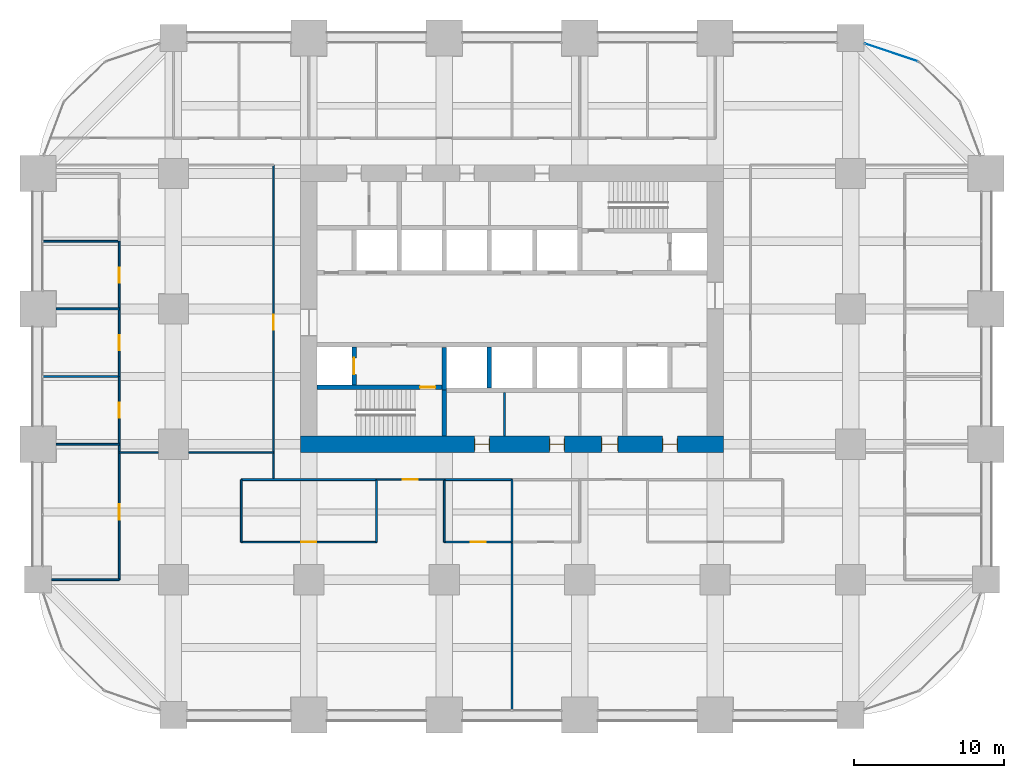
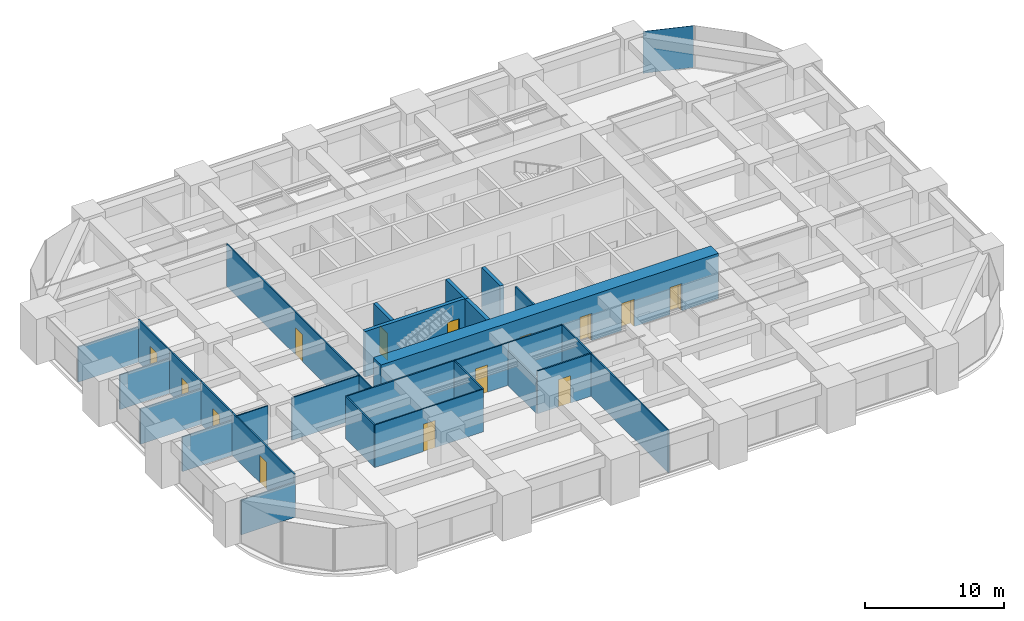
# One storey, part 36 of 41: 29 walls, 14 doors, 1 plate, 14 openings, 1 element without a shape of its own.
"""IFC4 building model written with IfcOpenShell, lengths in metres."""

from ifc_helpers import new_model, si_unit, direction, frame, frame_2d, origin, origin_2d, place, context, subcontext, project, spatial, rectangle, extrude, material, layer, layer_set, type_object, element, fill, aggregate, save


model = new_model("IFC4")

# Units and contexts
model_context = context("Model", 3, precision=1e-05, world=origin(), true_north=direction((0.0, 1.0)))
body_context = subcontext(model_context, "Body", "Model", "MODEL_VIEW")
ifc_project = project(units=[si_unit("LENGTHUNIT", "METRE"), si_unit("AREAUNIT", "SQUARE_METRE"), si_unit("VOLUMEUNIT", "CUBIC_METRE"), si_unit("PLANEANGLEUNIT", "RADIAN"), si_unit("MASSUNIT", "GRAM", prefix="KILO")], contexts=[model_context])

# Site, building, storey
site_placement = place(None, origin())
site = spatial("IfcSite", under=ifc_project, at=site_placement, CompositionType="ELEMENT")
building_placement = place(site_placement, origin())
building = spatial("IfcBuilding", under=site, at=building_placement, Name="Zorevar Civic Tower", CompositionType="ELEMENT")
storey_placement = place(building_placement, frame((0.0, 0.0, 113.0)))
storey = spatial("IfcBuildingStorey", under=building, at=storey_placement, Name="L27", CompositionType="ELEMENT", Elevation=113.0)

# Curtain wall, plate
ifc_material_1 = material(Name="Dark grey solar-control glass in black aluminium frame", Category="aluminium")
curtain_wall_type = type_object("IfcCurtainWallType", Name="Curtain wall CW3 mid zone", PredefinedType="NOTDEFINED", material=ifc_material_1)
curtain_wall_placement = place(storey_placement, origin())
curtain_wall = element("IfcCurtainWall", 1, at=curtain_wall_placement, inside=storey, type_object=curtain_wall_type, Name="CW3 L27", PredefinedType="NOTDEFINED")
ifc_material_2 = material(Name="Dark grey solar-control glass", Category="glass")
ifc_layer_1 = layer(ifc_material_2, 0.030029296875)
ifc_layer_set_1 = layer_set([ifc_layer_1], Name="CW3 panel 30")
plate_type = type_object("IfcPlateType", Name="CW3 panel 30", PredefinedType="CURTAIN_PANEL", material=ifc_layer_set_1)
plate_placement = place(storey_placement, frame((56.7109375, 44.04296875, 0.06005859375), z_axis=(0.0, 0.0, 1.0), x_axis=(-0.947615765406, 0.319412525043, 0.0)))
plate = element("IfcPlate", 2, at=plate_placement, type_object=plate_type, Name="CW3 panel 1.1", PredefinedType="CURTAIN_PANEL", context=body_context, shape_type="SweptSolid", body=[
    extrude(rectangle(XDim=3.7021484375, YDim=0.030029296875, at=origin_2d()), origin(), (0.0, 0.0, 1.0), 3.68994140625),
])
aggregate(curtain_wall, [plate])

# Wall, openings, doors
ifc_material_3 = material(Name="Concrete C50/60", Category="concrete")
ifc_layer_2 = layer(ifc_material_3, 1.10009765625)
ifc_layer_set_2 = layer_set([ifc_layer_2], Name="Core wall 1100")
wall_type_1 = type_object("IfcWallType", Name="Core wall 1100", PredefinedType="SHEAR", material=ifc_layer_set_2)
wall_1_placement = place(storey_placement, frame((17.449951171875, 18.0, 0.0), z_axis=(0.0, 0.0, 1.0), x_axis=(1.0, 0.0, 0.0)))
wall_1 = element("IfcWall", 3, at=wall_1_placement, inside=storey, type_object=wall_type_1, Name="Core wall S L27", PredefinedType="SHEAR", context=body_context, shape_type="SweptSolid", body=[
    extrude(rectangle(XDim=28.10009765625, YDim=1.10009765625, at=frame_2d((14.050048828125, 0.0))), origin(), (0.0, 0.0, 1.0), 4.0),
])
opening_1_placement = place(wall_1_placement, frame((11.550048828125, 0.0, 0.0)))
opening_1 = element("IfcOpeningElement", 4, at=opening_1_placement, cuts=wall_1, Name="Opening L27.03", PredefinedType="OPENING", context=body_context, shape_type="SweptSolid", body=[
    extrude(rectangle(XDim=1.0, YDim=2.39990234375, at=frame_2d((0.5, 1.199951171875))), frame((0.0, 0.56005859375, 0.0), z_axis=(0.0, -1.0, 0.0), x_axis=(1.0, 0.0, 0.0)), (0.0, 0.0, 1.0), 1.1201171875),
])
opening_2_placement = place(wall_1_placement, frame((16.550048828125, 0.0, 0.0)))
opening_2 = element("IfcOpeningElement", 5, at=opening_2_placement, cuts=wall_1, Name="Opening L27.04", PredefinedType="OPENING", context=body_context, shape_type="SweptSolid", body=[
    extrude(rectangle(XDim=1.0, YDim=2.39990234375, at=frame_2d((0.5, 1.199951171875))), frame((0.0, 0.56005859375, 0.0), z_axis=(0.0, -1.0, 0.0), x_axis=(1.0, 0.0, 0.0)), (0.0, 0.0, 1.0), 1.1201171875),
])
opening_3_placement = place(wall_1_placement, frame((20.0, 0.0, 0.0)))
opening_3 = element("IfcOpeningElement", 6, at=opening_3_placement, cuts=wall_1, Name="Opening L27.05", PredefinedType="OPENING", context=body_context, shape_type="SweptSolid", body=[
    extrude(rectangle(XDim=1.10009765625, YDim=2.39990234375, at=frame_2d((0.550048828125, 1.199951171875))), frame((0.0, 0.56005859375, 0.0), z_axis=(0.0, -1.0, 0.0), x_axis=(1.0, 0.0, 0.0)), (0.0, 0.0, 1.0), 1.1201171875),
])
opening_4_placement = place(wall_1_placement, frame((24.050048828125, 0.0, 0.0)))
opening_4 = element("IfcOpeningElement", 7, at=opening_4_placement, cuts=wall_1, Name="Opening L27.06", PredefinedType="OPENING", context=body_context, shape_type="SweptSolid", body=[
    extrude(rectangle(XDim=1.0, YDim=2.39990234375, at=frame_2d((0.5, 1.199951171875))), frame((0.0, 0.56005859375, 0.0), z_axis=(0.0, -1.0, 0.0), x_axis=(1.0, 0.0, 0.0)), (0.0, 0.0, 1.0), 1.1201171875),
])
ifc_material_4 = material(Name="Timber door set", Category="wood")
door_type_1 = type_object("IfcDoorType", Name="Door D1 1000x2400", OperationType="SINGLE_SWING_LEFT", PredefinedType="DOOR", material=ifc_material_4)
door_1_placement = place(opening_1_placement, origin())
door_1 = element("IfcDoor", 8, at=door_1_placement, inside=storey, type_object=door_type_1, Name="Door L27 02", OperationType="SINGLE_SWING_RIGHT", OverallHeight=2.39990234375, OverallWidth=1.0, PredefinedType="DOOR", context=body_context, shape_type="SweptSolid", body=[
    extrude(rectangle(XDim=1.0, YDim=2.39990234375, at=frame_2d((0.5, 1.199951171875))), frame((0.0, 0.02490234375, 0.0), z_axis=(0.0, -1.0, 0.0), x_axis=(1.0, 0.0, 0.0)), (0.0, 0.0, 1.0), 0.050048828125),
    extrude(rectangle(XDim=0.04, YDim=2.39990234375, at=frame_2d((0.02001953125, 1.199951171875))), frame((0.0, 0.39990234375, 0.0), z_axis=(0.0, -1.0, 0.0), x_axis=(1.0, 0.0, 0.0)), (0.0, 0.0, 1.0), 0.800048828125),
    extrude(rectangle(XDim=0.04, YDim=2.39990234375, at=frame_2d((0.97998046875, 1.199951171875))), frame((0.0, 0.39990234375, 0.0), z_axis=(0.0, -1.0, 0.0), x_axis=(1.0, 0.0, 0.0)), (0.0, 0.0, 1.0), 0.800048828125),
    extrude(rectangle(XDim=1.0, YDim=0.04, at=frame_2d((0.5, 2.3798828125))), frame((0.0, 0.39990234375, 0.0), z_axis=(0.0, -1.0, 0.0), x_axis=(1.0, 0.0, 0.0)), (0.0, 0.0, 1.0), 0.800048828125),
])
fill(opening_1, door_1)
door_2_placement = place(opening_2_placement, origin())
door_2 = element("IfcDoor", 9, at=door_2_placement, inside=storey, type_object=door_type_1, Name="Door L27 03", OperationType="SINGLE_SWING_LEFT", OverallHeight=2.39990234375, OverallWidth=1.0, PredefinedType="DOOR", context=body_context, shape_type="SweptSolid", body=[
    extrude(rectangle(XDim=1.0, YDim=2.39990234375, at=frame_2d((0.5, 1.199951171875))), frame((0.0, 0.02490234375, 0.0), z_axis=(0.0, -1.0, 0.0), x_axis=(1.0, 0.0, 0.0)), (0.0, 0.0, 1.0), 0.050048828125),
    extrude(rectangle(XDim=0.04, YDim=2.39990234375, at=frame_2d((0.02001953125, 1.199951171875))), frame((0.0, 0.39990234375, 0.0), z_axis=(0.0, -1.0, 0.0), x_axis=(1.0, 0.0, 0.0)), (0.0, 0.0, 1.0), 0.800048828125),
    extrude(rectangle(XDim=0.04, YDim=2.39990234375, at=frame_2d((0.97998046875, 1.199951171875))), frame((0.0, 0.39990234375, 0.0), z_axis=(0.0, -1.0, 0.0), x_axis=(1.0, 0.0, 0.0)), (0.0, 0.0, 1.0), 0.800048828125),
    extrude(rectangle(XDim=1.0, YDim=0.04, at=frame_2d((0.5, 2.3798828125))), frame((0.0, 0.39990234375, 0.0), z_axis=(0.0, -1.0, 0.0), x_axis=(1.0, 0.0, 0.0)), (0.0, 0.0, 1.0), 0.800048828125),
])
fill(opening_2, door_2)
door_3_placement = place(opening_4_placement, origin())
door_3 = element("IfcDoor", 10, at=door_3_placement, inside=storey, type_object=door_type_1, Name="Door L27 05", OperationType="SINGLE_SWING_LEFT", OverallHeight=2.39990234375, OverallWidth=1.0, PredefinedType="DOOR", context=body_context, shape_type="SweptSolid", body=[
    extrude(rectangle(XDim=1.0, YDim=2.39990234375, at=frame_2d((0.5, 1.199951171875))), frame((0.0, 0.02490234375, 0.0), z_axis=(0.0, -1.0, 0.0), x_axis=(1.0, 0.0, 0.0)), (0.0, 0.0, 1.0), 0.050048828125),
    extrude(rectangle(XDim=0.04, YDim=2.39990234375, at=frame_2d((0.02001953125, 1.199951171875))), frame((0.0, 0.39990234375, 0.0), z_axis=(0.0, -1.0, 0.0), x_axis=(1.0, 0.0, 0.0)), (0.0, 0.0, 1.0), 0.800048828125),
    extrude(rectangle(XDim=0.04, YDim=2.39990234375, at=frame_2d((0.97998046875, 1.199951171875))), frame((0.0, 0.39990234375, 0.0), z_axis=(0.0, -1.0, 0.0), x_axis=(1.0, 0.0, 0.0)), (0.0, 0.0, 1.0), 0.800048828125),
    extrude(rectangle(XDim=1.0, YDim=0.04, at=frame_2d((0.5, 2.3798828125))), frame((0.0, 0.39990234375, 0.0), z_axis=(0.0, -1.0, 0.0), x_axis=(1.0, 0.0, 0.0)), (0.0, 0.0, 1.0), 0.800048828125),
])
fill(opening_4, door_3)
ifc_material_5 = material(Name="Timber door set", Category="wood")
door_type_2 = type_object("IfcDoorType", Name="Door D5 1100x2400", OperationType="SINGLE_SWING_LEFT", PredefinedType="DOOR", material=ifc_material_5)
door_4_placement = place(opening_3_placement, origin())
door_4 = element("IfcDoor", 11, at=door_4_placement, inside=storey, type_object=door_type_2, Name="Door L27 04", OperationType="SINGLE_SWING_LEFT", OverallHeight=2.39990234375, OverallWidth=1.10009765625, PredefinedType="DOOR", context=body_context, shape_type="SweptSolid", body=[
    extrude(rectangle(XDim=1.10009765625, YDim=2.39990234375, at=frame_2d((0.550048828125, 1.199951171875))), frame((0.0, 0.02490234375, 0.0), z_axis=(0.0, -1.0, 0.0), x_axis=(1.0, 0.0, 0.0)), (0.0, 0.0, 1.0), 0.050048828125),
    extrude(rectangle(XDim=0.04, YDim=2.39990234375, at=frame_2d((0.02001953125, 1.199951171875))), frame((0.0, 0.43994140625, 0.0), z_axis=(0.0, -1.0, 0.0), x_axis=(1.0, 0.0, 0.0)), (0.0, 0.0, 1.0), 0.880126953125),
    extrude(rectangle(XDim=0.04, YDim=2.39990234375, at=frame_2d((1.080078125, 1.199951171875))), frame((0.0, 0.43994140625, 0.0), z_axis=(0.0, -1.0, 0.0), x_axis=(1.0, 0.0, 0.0)), (0.0, 0.0, 1.0), 0.880126953125),
    extrude(rectangle(XDim=1.10009765625, YDim=0.04, at=frame_2d((0.550048828125, 2.3798828125))), frame((0.0, 0.43994140625, 0.0), z_axis=(0.0, -1.0, 0.0), x_axis=(1.0, 0.0, 0.0)), (0.0, 0.0, 1.0), 0.880126953125),
])
fill(opening_3, door_4)

# Wall, opening, door
ifc_material_6 = material(Name="Laminated glass in black aluminium frame", Category="aluminium")
ifc_layer_3 = layer(ifc_material_6, 0.10009765625)
ifc_layer_set_3 = layer_set([ifc_layer_3], Name="Glazed partition 100")
wall_type_2 = type_object("IfcWallType", Name="Glazed partition 100", PredefinedType="PARTITIONING", material=ifc_layer_set_3)
wall_2_placement = place(storey_placement, frame((13.5, 11.5, 0.0), z_axis=(0.0, 0.0, 1.0), x_axis=(1.0, 0.0, 0.0)))
wall_2 = element("IfcWall", 12, at=wall_2_placement, inside=storey, type_object=wall_type_2, Name="Glazed partition 100 L27", PredefinedType="PARTITIONING", context=body_context, shape_type="SweptSolid", body=[
    extrude(rectangle(XDim=9.0, YDim=0.10009765625, at=frame_2d((4.5, 0.0))), origin(), (0.0, 0.0, 1.0), 3.75),
])
opening_5_placement = place(wall_2_placement, frame((4.0, 0.0, 0.0)))
opening_5 = element("IfcOpeningElement", 13, at=opening_5_placement, cuts=wall_2, Name="Opening L27.19", PredefinedType="OPENING", context=body_context, shape_type="SweptSolid", body=[
    extrude(rectangle(XDim=1.0, YDim=2.39990234375, at=frame_2d((0.5, 1.199951171875))), frame((0.0, 0.06005859375, 0.0), z_axis=(0.0, -1.0, 0.0), x_axis=(1.0, 0.0, 0.0)), (0.0, 0.0, 1.0), 0.1201171875),
])
ifc_material_7 = material(Name="Timber door set", Category="wood")
door_type_3 = type_object("IfcDoorType", Name="Glazed door GD1 1000x2400", OperationType="SINGLE_SWING_LEFT", PredefinedType="DOOR", material=ifc_material_7)
door_5_placement = place(opening_5_placement, origin())
door_5 = element("IfcDoor", 14, at=door_5_placement, inside=storey, type_object=door_type_3, Name="Door L27 D1", OperationType="SINGLE_SWING_LEFT", OverallHeight=2.39990234375, OverallWidth=1.0, PredefinedType="DOOR", context=body_context, shape_type="SweptSolid", body=[
    extrude(rectangle(XDim=1.0, YDim=2.39990234375, at=frame_2d((0.5, 1.199951171875))), frame((0.0, 0.02001953125, 0.0), z_axis=(0.0, -1.0, 0.0), x_axis=(1.0, 0.0, 0.0)), (0.0, 0.0, 1.0), 0.0400390625),
])
fill(opening_5, door_5)

wall_3_placement = place(storey_placement, frame((22.5, 15.64990234375, 0.0), z_axis=(0.0, 0.0, 1.0), x_axis=(1.0, 0.0, 0.0)))
wall_3 = element("IfcWall", 15, at=wall_3_placement, inside=storey, type_object=wall_type_2, Name="Glazed partition 100 L27", PredefinedType="PARTITIONING", context=body_context, shape_type="SweptSolid", body=[
    extrude(rectangle(XDim=4.5, YDim=0.10009765625, at=frame_2d((2.25, 0.0))), origin(), (0.0, 0.0, 1.0), 3.75),
])
opening_6_placement = place(wall_3_placement, frame((1.75, 0.0, 0.0)))
opening_6 = element("IfcOpeningElement", 16, at=opening_6_placement, cuts=wall_3, Name="Opening L27.21", PredefinedType="OPENING", context=body_context, shape_type="SweptSolid", body=[
    extrude(rectangle(XDim=1.0, YDim=2.39990234375, at=frame_2d((0.5, 1.199951171875))), frame((0.0, 0.06005859375, 0.0), z_axis=(0.0, -1.0, 0.0), x_axis=(1.0, 0.0, 0.0)), (0.0, 0.0, 1.0), 0.1201171875),
])
door_6_placement = place(opening_6_placement, origin())
door_6 = element("IfcDoor", 17, at=door_6_placement, inside=storey, type_object=door_type_3, Name="Door L27 D1", OperationType="SINGLE_SWING_LEFT", OverallHeight=2.39990234375, OverallWidth=1.0, PredefinedType="DOOR", context=body_context, shape_type="SweptSolid", body=[
    extrude(rectangle(XDim=1.0, YDim=2.39990234375, at=frame_2d((0.5, 1.199951171875))), frame((0.0, 0.02001953125, 0.0), z_axis=(0.0, -1.0, 0.0), x_axis=(1.0, 0.0, 0.0)), (0.0, 0.0, 1.0), 0.0400390625),
])
fill(opening_6, door_6)

# Walls
wall_4_placement = place(storey_placement, frame((5.389892578125, 17.449951171875, 0.0), z_axis=(0.0, 0.0, 1.0), x_axis=(1.0, 0.0, 0.0)))
element("IfcWall", 18, at=wall_4_placement, inside=storey, type_object=wall_type_2, Name="Glazed partition 100 L27", PredefinedType="PARTITIONING", context=body_context, shape_type="SweptSolid", body=[
    extrude(rectangle(XDim=2.610107421875, YDim=0.10009765625, at=frame_2d((1.30517578125, 0.0))), origin(), (0.0, 0.0, 1.0), 3.75),
])
wall_5_placement = place(storey_placement, frame((10.0, 17.449951171875, 0.0), z_axis=(0.0, 0.0, 1.0), x_axis=(1.0, 0.0, 0.0)))
element("IfcWall", 19, at=wall_5_placement, inside=storey, type_object=wall_type_2, Name="Glazed partition 100 L27", PredefinedType="PARTITIONING", context=body_context, shape_type="SweptSolid", body=[
    extrude(rectangle(XDim=5.64990234375, YDim=0.10009765625, at=frame_2d((2.824951171875, 0.0))), origin(), (0.0, 0.0, 1.0), 3.75),
])

# Wall, opening, door
wall_6_placement = place(storey_placement, frame((15.64990234375, 15.64990234375, 0.0), z_axis=(0.0, 0.0, 1.0), x_axis=(0.0, 1.0, 0.0)))
wall_6 = element("IfcWall", 20, at=wall_6_placement, inside=storey, type_object=wall_type_2, Name="Glazed partition 100 L27", PredefinedType="PARTITIONING", context=body_context, shape_type="SweptSolid", body=[
    extrude(rectangle(XDim=20.900146484375, YDim=0.10009765625, at=frame_2d((10.4501953125, 0.0))), origin(), (0.0, 0.0, 1.0), 3.75),
])
opening_7_placement = place(wall_6_placement, frame((9.949951171875, 0.0, 0.0)))
opening_7 = element("IfcOpeningElement", 21, at=opening_7_placement, cuts=wall_6, Name="Opening L27.36", PredefinedType="OPENING", context=body_context, shape_type="SweptSolid", body=[
    extrude(rectangle(XDim=1.0, YDim=2.39990234375, at=frame_2d((0.5, 1.199951171875))), frame((0.0, 0.06005859375, 0.0), z_axis=(0.0, -1.0, 0.0), x_axis=(1.0, 0.0, 0.0)), (0.0, 0.0, 1.0), 0.1201171875),
])
door_7_placement = place(opening_7_placement, origin())
door_7 = element("IfcDoor", 22, at=door_7_placement, inside=storey, type_object=door_type_3, Name="Door L27 D1", OperationType="SINGLE_SWING_RIGHT", OverallHeight=2.39990234375, OverallWidth=1.0, PredefinedType="DOOR", context=body_context, shape_type="SweptSolid", body=[
    extrude(rectangle(XDim=1.0, YDim=2.39990234375, at=frame_2d((0.5, 1.199951171875))), frame((0.0, 0.02001953125, 0.0), z_axis=(0.0, -1.0, 0.0), x_axis=(1.0, 0.0, 0.0)), (0.0, 0.0, 1.0), 0.0400390625),
])
fill(opening_7, door_7)

# Wall
wall_7_placement = place(storey_placement, frame((31.5, 0.31005859375, 0.0), z_axis=(0.0, 0.0, 1.0), x_axis=(0.0, 1.0, 0.0)))
element("IfcWall", 23, at=wall_7_placement, inside=storey, type_object=wall_type_2, Name="Glazed partition 100 L27", PredefinedType="PARTITIONING", context=body_context, shape_type="SweptSolid", body=[
    extrude(rectangle(XDim=11.18994140625, YDim=0.10009765625, at=frame_2d((5.594970703125, 0.0))), origin(), (0.0, 0.0, 1.0), 3.75),
])

# Wall, opening, door
ifc_material_8 = material(Name="Concrete C40/50", Category="concrete")
ifc_layer_4 = layer(ifc_material_8, 0.300048828125)
ifc_layer_set_4 = layer_set([ifc_layer_4], Name="Inner core wall 300")
wall_type_3 = type_object("IfcWallType", Name="Inner core wall 300", PredefinedType="SHEAR", material=ifc_layer_set_4)
wall_8_placement = place(storey_placement, frame((18.550048828125, 21.800048828125, 0.0), z_axis=(0.0, 0.0, 1.0), x_axis=(1.0, 0.0, 0.0)))
wall_8 = element("IfcWall", 24, at=wall_8_placement, inside=storey, type_object=wall_type_3, Name="Inner core wall S00 L27", PredefinedType="SHEAR", context=body_context, shape_type="SweptSolid", body=[
    extrude(rectangle(XDim=8.300048828125, YDim=0.300048828125, at=frame_2d((4.14990234375, 0.0))), origin(), (0.0, 0.0, 1.0), 4.0),
])
opening_8_placement = place(wall_8_placement, frame((6.85009765625, 0.0, 0.0)))
opening_8 = element("IfcOpeningElement", 25, at=opening_8_placement, cuts=wall_8, Name="Opening L27.11", PredefinedType="OPENING", context=body_context, shape_type="SweptSolid", body=[
    extrude(rectangle(XDim=1.0, YDim=2.39990234375, at=frame_2d((0.5, 1.199951171875))), frame((0.0, 0.159912109375, 0.0), z_axis=(0.0, -1.0, 0.0), x_axis=(1.0, 0.0, 0.0)), (0.0, 0.0, 1.0), 0.320068359375),
])
ifc_material_9 = material(Name="Steel door set", Category="steel")
door_type_4 = type_object("IfcDoorType", Name="Fire door FD1 1000x2400", OperationType="SINGLE_SWING_LEFT", PredefinedType="DOOR", material=ifc_material_9)
door_8_placement = place(opening_8_placement, origin())
door_8 = element("IfcDoor", 26, at=door_8_placement, inside=storey, type_object=door_type_4, Name="Door L27 10", OperationType="SINGLE_SWING_RIGHT", OverallHeight=2.39990234375, OverallWidth=1.0, PredefinedType="DOOR", context=body_context, shape_type="SweptSolid", body=[
    extrude(rectangle(XDim=1.0, YDim=2.39990234375, at=frame_2d((0.5, 1.199951171875))), frame((0.0, 0.030029296875, 0.0), z_axis=(0.0, -1.0, 0.0), x_axis=(1.0, 0.0, 0.0)), (0.0, 0.0, 1.0), 0.06005859375),
])
fill(opening_8, door_8)

# Wall
wall_9_placement = place(storey_placement, frame((27.0, 18.550048828125, 0.0), z_axis=(0.0, 0.0, 1.0), x_axis=(0.0, 1.0, 0.0)))
element("IfcWall", 27, at=wall_9_placement, inside=storey, type_object=wall_type_3, Name="Inner core wall S01 L27", PredefinedType="SHEAR", context=body_context, shape_type="SweptSolid", body=[
    extrude(rectangle(XDim=3.050048828125, YDim=0.300048828125, at=frame_2d((1.52490234375, 0.0))), origin(), (0.0, 0.0, 1.0), 4.0),
])

# Wall, opening, door
wall_10_placement = place(storey_placement, frame((21.0, 21.949951171875, 0.0), z_axis=(0.0, 0.0, 1.0), x_axis=(0.0, 1.0, 0.0)))
wall_10 = element("IfcWall", 28, at=wall_10_placement, inside=storey, type_object=wall_type_3, Name="Inner core wall S02 L27", PredefinedType="SHEAR", context=body_context, shape_type="SweptSolid", body=[
    extrude(rectangle(XDim=2.5, YDim=0.300048828125, at=frame_2d((1.25, 0.0))), origin(), (0.0, 0.0, 1.0), 4.0),
])
opening_9_placement = place(wall_10_placement, frame((0.699951171875, 0.0, 0.0)))
opening_9 = element("IfcOpeningElement", 29, at=opening_9_placement, cuts=wall_10, Name="Opening L27.FL1", PredefinedType="OPENING", context=body_context, shape_type="SweptSolid", body=[
    extrude(rectangle(XDim=1.10009765625, YDim=2.39990234375, at=frame_2d((0.550048828125, 1.199951171875))), frame((0.0, 0.159912109375, 0.0), z_axis=(0.0, -1.0, 0.0), x_axis=(1.0, 0.0, 0.0)), (0.0, 0.0, 1.0), 0.320068359375),
])
ifc_material_10 = material(Name="Steel door set", Category="steel")
door_type_5 = type_object("IfcDoorType", Name="Firefighting lift landing door LD3 1100x2400", OperationType="DOUBLE_DOOR_SLIDING", PredefinedType="DOOR", material=ifc_material_10)
door_9_placement = place(opening_9_placement, origin())
door_9 = element("IfcDoor", 30, at=door_9_placement, inside=storey, type_object=door_type_5, Name="Landing door FL1 L27", OperationType="DOUBLE_DOOR_SLIDING", OverallHeight=2.39990234375, OverallWidth=1.10009765625, PredefinedType="DOOR", context=body_context, shape_type="SweptSolid", body=[
    extrude(rectangle(XDim=1.10009765625, YDim=2.39990234375, at=frame_2d((0.550048828125, 1.199951171875))), frame((0.0, 0.030029296875, 0.0), z_axis=(0.0, -1.0, 0.0), x_axis=(1.0, 0.0, 0.0)), (0.0, 0.0, 1.0), 0.06005859375),
])
fill(opening_9, door_9)

# Walls
wall_11_placement = place(storey_placement, frame((30.0, 21.75, 0.0), z_axis=(0.0, 0.0, 1.0), x_axis=(0.0, 1.0, 0.0)))
element("IfcWall", 31, at=wall_11_placement, inside=storey, type_object=wall_type_3, Name="Inner core wall S05 L27", PredefinedType="SHEAR", context=body_context, shape_type="SweptSolid", body=[
    extrude(rectangle(XDim=2.699951171875, YDim=0.300048828125, at=frame_2d((1.35009765625, 0.0))), origin(), (0.0, 0.0, 1.0), 4.0),
])
wall_12_placement = place(storey_placement, frame((27.0, 21.60009765625, 0.0), z_axis=(0.0, 0.0, 1.0), x_axis=(0.0, 1.0, 0.0)))
element("IfcWall", 32, at=wall_12_placement, inside=storey, type_object=wall_type_3, Name="Inner core wall S10 L27", PredefinedType="SHEAR", context=body_context, shape_type="SweptSolid", body=[
    extrude(rectangle(XDim=2.849853515625, YDim=0.300048828125, at=frame_2d((1.4248046875, 0.0))), origin(), (0.0, 0.0, 1.0), 4.0),
])
ifc_material_11 = material(Name="Gypsum board on steel studs", Category="steel")
ifc_layer_5 = layer(ifc_material_11, 0.1201171875)
ifc_layer_set_5 = layer_set([ifc_layer_5], Name="Partition 120")
wall_type_4 = type_object("IfcWallType", Name="Partition 120", PredefinedType="PARTITIONING", material=ifc_layer_set_5)
wall_13_placement = place(storey_placement, frame((0.89990234375, 9.0, 0.0), z_axis=(0.0, 0.0, 1.0), x_axis=(1.0, 0.0, 0.0)))
element("IfcWall", 33, at=wall_13_placement, inside=storey, type_object=wall_type_4, Name="Partition 120 L27", PredefinedType="PARTITIONING", context=body_context, shape_type="SweptSolid", body=[
    extrude(rectangle(XDim=4.5, YDim=0.1201171875, at=frame_2d((2.25, 0.0))), origin(), (0.0, 0.0, 1.0), 3.050048828125),
])

# Wall, opening, door
wall_14_placement = place(storey_placement, frame((27.0, 11.5, 0.0), z_axis=(0.0, 0.0, 1.0), x_axis=(1.0, 0.0, 0.0)))
wall_14 = element("IfcWall", 34, at=wall_14_placement, inside=storey, type_object=wall_type_4, Name="Partition 120 L27", PredefinedType="PARTITIONING", context=body_context, shape_type="SweptSolid", body=[
    extrude(rectangle(XDim=4.5, YDim=0.1201171875, at=frame_2d((2.25, 0.0))), origin(), (0.0, 0.0, 1.0), 3.75),
])
opening_10_placement = place(wall_14_placement, frame((1.75, 0.0, 0.0)))
opening_10 = element("IfcOpeningElement", 35, at=opening_10_placement, cuts=wall_14, Name="Opening L27.17", PredefinedType="OPENING", context=body_context, shape_type="SweptSolid", body=[
    extrude(rectangle(XDim=1.0, YDim=2.39990234375, at=frame_2d((0.5, 1.199951171875))), frame((0.0, 0.070068359375, 0.0), z_axis=(0.0, -1.0, 0.0), x_axis=(1.0, 0.0, 0.0)), (0.0, 0.0, 1.0), 0.14013671875),
])
door_10_placement = place(opening_10_placement, origin())
door_10 = element("IfcDoor", 36, at=door_10_placement, inside=storey, type_object=door_type_1, Name="Door L27 D1", OperationType="SINGLE_SWING_RIGHT", OverallHeight=2.39990234375, OverallWidth=1.0, PredefinedType="DOOR", context=body_context, shape_type="SweptSolid", body=[
    extrude(rectangle(XDim=1.0, YDim=2.39990234375, at=frame_2d((0.5, 1.199951171875))), frame((0.0, 0.02490234375, 0.0), z_axis=(0.0, -1.0, 0.0), x_axis=(1.0, 0.0, 0.0)), (0.0, 0.0, 1.0), 0.050048828125),
])
fill(opening_10, door_10)

# Walls
wall_15_placement = place(storey_placement, frame((13.5, 15.64990234375, 0.0), z_axis=(0.0, 0.0, 1.0), x_axis=(1.0, 0.0, 0.0)))
element("IfcWall", 37, at=wall_15_placement, inside=storey, type_object=wall_type_4, Name="Partition 120 L27", PredefinedType="PARTITIONING", context=body_context, shape_type="SweptSolid", body=[
    extrude(rectangle(XDim=9.0, YDim=0.1201171875, at=frame_2d((4.5, 0.0))), origin(), (0.0, 0.0, 1.0), 3.75),
])
wall_16_placement = place(storey_placement, frame((27.0, 15.64990234375, 0.0), z_axis=(0.0, 0.0, 1.0), x_axis=(1.0, 0.0, 0.0)))
element("IfcWall", 38, at=wall_16_placement, inside=storey, type_object=wall_type_4, Name="Partition 120 L27", PredefinedType="PARTITIONING", context=body_context, shape_type="SweptSolid", body=[
    extrude(rectangle(XDim=4.5, YDim=0.1201171875, at=frame_2d((2.25, 0.0))), origin(), (0.0, 0.0, 1.0), 3.75),
])
wall_17_placement = place(storey_placement, frame((1.199951171875, 18.0, 0.0), z_axis=(0.0, 0.0, 1.0), x_axis=(1.0, 0.0, 0.0)))
element("IfcWall", 39, at=wall_17_placement, inside=storey, type_object=wall_type_4, Name="Partition 120 L27", PredefinedType="PARTITIONING", context=body_context, shape_type="SweptSolid", body=[
    extrude(rectangle(XDim=4.199951171875, YDim=0.1201171875, at=frame_2d((2.10009765625, 0.0))), origin(), (0.0, 0.0, 1.0), 3.050048828125),
])
wall_18_placement = place(storey_placement, frame((0.31005859375, 22.5, 0.0), z_axis=(0.0, 0.0, 1.0), x_axis=(1.0, 0.0, 0.0)))
element("IfcWall", 40, at=wall_18_placement, inside=storey, type_object=wall_type_4, Name="Partition 120 L27", PredefinedType="PARTITIONING", context=body_context, shape_type="SweptSolid", body=[
    extrude(rectangle(XDim=5.08984375, YDim=0.1201171875, at=frame_2d((2.544921875, 0.0))), origin(), (0.0, 0.0, 1.0), 3.10009765625),
])
wall_19_placement = place(storey_placement, frame((1.199951171875, 27.0, 0.0), z_axis=(0.0, 0.0, 1.0), x_axis=(1.0, 0.0, 0.0)))
element("IfcWall", 41, at=wall_19_placement, inside=storey, type_object=wall_type_4, Name="Partition 120 L27", PredefinedType="PARTITIONING", context=body_context, shape_type="SweptSolid", body=[
    extrude(rectangle(XDim=4.199951171875, YDim=0.1201171875, at=frame_2d((2.10009765625, 0.0))), origin(), (0.0, 0.0, 1.0), 3.050048828125),
])
wall_20_placement = place(storey_placement, frame((0.31005859375, 31.5, 0.0), z_axis=(0.0, 0.0, 1.0), x_axis=(1.0, 0.0, 0.0)))
element("IfcWall", 42, at=wall_20_placement, inside=storey, type_object=wall_type_4, Name="Partition 120 L27", PredefinedType="PARTITIONING", context=body_context, shape_type="SweptSolid", body=[
    extrude(rectangle(XDim=5.08984375, YDim=0.1201171875, at=frame_2d((2.544921875, 0.0))), origin(), (0.0, 0.0, 1.0), 3.10009765625),
])

# Wall, opening, door
wall_21_placement = place(storey_placement, frame((5.39990234375, 9.0, 0.0), z_axis=(0.0, 0.0, 1.0), x_axis=(0.0, 1.0, 0.0)))
wall_21 = element("IfcWall", 43, at=wall_21_placement, inside=storey, type_object=wall_type_4, Name="Partition 120 L27", PredefinedType="PARTITIONING", context=body_context, shape_type="SweptSolid", body=[
    extrude(rectangle(XDim=9.0, YDim=0.1201171875, at=frame_2d((4.5, 0.0))), origin(), (0.0, 0.0, 1.0), 3.75),
])
opening_11_placement = place(wall_21_placement, frame((4.0, 0.0, 0.0)))
opening_11 = element("IfcOpeningElement", 44, at=opening_11_placement, cuts=wall_21, Name="Opening L27.31", PredefinedType="OPENING", context=body_context, shape_type="SweptSolid", body=[
    extrude(rectangle(XDim=1.0, YDim=2.39990234375, at=frame_2d((0.5, 1.199951171875))), frame((0.0, 0.070068359375, 0.0), z_axis=(0.0, -1.0, 0.0), x_axis=(1.0, 0.0, 0.0)), (0.0, 0.0, 1.0), 0.14013671875),
])
door_11_placement = place(opening_11_placement, origin())
door_11 = element("IfcDoor", 45, at=door_11_placement, inside=storey, type_object=door_type_1, Name="Door L27 D1", OperationType="SINGLE_SWING_RIGHT", OverallHeight=2.39990234375, OverallWidth=1.0, PredefinedType="DOOR", context=body_context, shape_type="SweptSolid", body=[
    extrude(rectangle(XDim=1.0, YDim=2.39990234375, at=frame_2d((0.5, 1.199951171875))), frame((0.0, 0.02490234375, 0.0), z_axis=(0.0, -1.0, 0.0), x_axis=(1.0, 0.0, 0.0)), (0.0, 0.0, 1.0), 0.050048828125),
])
fill(opening_11, door_11)

wall_22_placement = place(storey_placement, frame((5.39990234375, 18.0, 0.0), z_axis=(0.0, 0.0, 1.0), x_axis=(0.0, 1.0, 0.0)))
wall_22 = element("IfcWall", 46, at=wall_22_placement, inside=storey, type_object=wall_type_4, Name="Partition 120 L27", PredefinedType="PARTITIONING", context=body_context, shape_type="SweptSolid", body=[
    extrude(rectangle(XDim=4.5, YDim=0.1201171875, at=frame_2d((2.25, 0.0))), origin(), (0.0, 0.0, 1.0), 3.75),
])
opening_12_placement = place(wall_22_placement, frame((1.75, 0.0, 0.0)))
opening_12 = element("IfcOpeningElement", 47, at=opening_12_placement, cuts=wall_22, Name="Opening L27.32", PredefinedType="OPENING", context=body_context, shape_type="SweptSolid", body=[
    extrude(rectangle(XDim=1.0, YDim=2.39990234375, at=frame_2d((0.5, 1.199951171875))), frame((0.0, 0.070068359375, 0.0), z_axis=(0.0, -1.0, 0.0), x_axis=(1.0, 0.0, 0.0)), (0.0, 0.0, 1.0), 0.14013671875),
])
door_12_placement = place(opening_12_placement, origin())
door_12 = element("IfcDoor", 48, at=door_12_placement, inside=storey, type_object=door_type_1, Name="Door L27 D1", OperationType="SINGLE_SWING_LEFT", OverallHeight=2.39990234375, OverallWidth=1.0, PredefinedType="DOOR", context=body_context, shape_type="SweptSolid", body=[
    extrude(rectangle(XDim=1.0, YDim=2.39990234375, at=frame_2d((0.5, 1.199951171875))), frame((0.0, 0.02490234375, 0.0), z_axis=(0.0, -1.0, 0.0), x_axis=(1.0, 0.0, 0.0)), (0.0, 0.0, 1.0), 0.050048828125),
])
fill(opening_12, door_12)

wall_23_placement = place(storey_placement, frame((5.39990234375, 22.5, 0.0), z_axis=(0.0, 0.0, 1.0), x_axis=(0.0, 1.0, 0.0)))
wall_23 = element("IfcWall", 49, at=wall_23_placement, inside=storey, type_object=wall_type_4, Name="Partition 120 L27", PredefinedType="PARTITIONING", context=body_context, shape_type="SweptSolid", body=[
    extrude(rectangle(XDim=4.5, YDim=0.1201171875, at=frame_2d((2.25, 0.0))), origin(), (0.0, 0.0, 1.0), 3.75),
])
opening_13_placement = place(wall_23_placement, frame((1.75, 0.0, 0.0)))
opening_13 = element("IfcOpeningElement", 50, at=opening_13_placement, cuts=wall_23, Name="Opening L27.33", PredefinedType="OPENING", context=body_context, shape_type="SweptSolid", body=[
    extrude(rectangle(XDim=1.0, YDim=2.39990234375, at=frame_2d((0.5, 1.199951171875))), frame((0.0, 0.070068359375, 0.0), z_axis=(0.0, -1.0, 0.0), x_axis=(1.0, 0.0, 0.0)), (0.0, 0.0, 1.0), 0.14013671875),
])
door_13_placement = place(opening_13_placement, origin())
door_13 = element("IfcDoor", 51, at=door_13_placement, inside=storey, type_object=door_type_1, Name="Door L27 D1", OperationType="SINGLE_SWING_LEFT", OverallHeight=2.39990234375, OverallWidth=1.0, PredefinedType="DOOR", context=body_context, shape_type="SweptSolid", body=[
    extrude(rectangle(XDim=1.0, YDim=2.39990234375, at=frame_2d((0.5, 1.199951171875))), frame((0.0, 0.02490234375, 0.0), z_axis=(0.0, -1.0, 0.0), x_axis=(1.0, 0.0, 0.0)), (0.0, 0.0, 1.0), 0.050048828125),
])
fill(opening_13, door_13)

wall_24_placement = place(storey_placement, frame((5.39990234375, 27.0, 0.0), z_axis=(0.0, 0.0, 1.0), x_axis=(0.0, 1.0, 0.0)))
wall_24 = element("IfcWall", 52, at=wall_24_placement, inside=storey, type_object=wall_type_4, Name="Partition 120 L27", PredefinedType="PARTITIONING", context=body_context, shape_type="SweptSolid", body=[
    extrude(rectangle(XDim=4.5, YDim=0.1201171875, at=frame_2d((2.25, 0.0))), origin(), (0.0, 0.0, 1.0), 3.75),
])
opening_14_placement = place(wall_24_placement, frame((1.75, 0.0, 0.0)))
opening_14 = element("IfcOpeningElement", 53, at=opening_14_placement, cuts=wall_24, Name="Opening L27.34", PredefinedType="OPENING", context=body_context, shape_type="SweptSolid", body=[
    extrude(rectangle(XDim=1.0, YDim=2.39990234375, at=frame_2d((0.5, 1.199951171875))), frame((0.0, 0.070068359375, 0.0), z_axis=(0.0, -1.0, 0.0), x_axis=(1.0, 0.0, 0.0)), (0.0, 0.0, 1.0), 0.14013671875),
])
door_14_placement = place(opening_14_placement, origin())
door_14 = element("IfcDoor", 54, at=door_14_placement, inside=storey, type_object=door_type_1, Name="Door L27 D1", OperationType="SINGLE_SWING_RIGHT", OverallHeight=2.39990234375, OverallWidth=1.0, PredefinedType="DOOR", context=body_context, shape_type="SweptSolid", body=[
    extrude(rectangle(XDim=1.0, YDim=2.39990234375, at=frame_2d((0.5, 1.199951171875))), frame((0.0, 0.02490234375, 0.0), z_axis=(0.0, -1.0, 0.0), x_axis=(1.0, 0.0, 0.0)), (0.0, 0.0, 1.0), 0.050048828125),
])
fill(opening_14, door_14)

# Walls
for number, where, z_axis, x_axis, name in (
    (55, (13.5, 11.5, 0.0), (0.0, 0.0, 1.0), (0.0, 1.0, 0.0), "Partition 120 L27"),
    (56, (22.5, 11.5, 0.0), (0.0, 0.0, 1.0), (0.0, 1.0, 0.0), "Partition 120 L27"),
):
    element("IfcWall", number, at=place(storey_placement, frame(where, z_axis=z_axis, x_axis=x_axis)), inside=storey, type_object=wall_type_4, Name=name, PredefinedType="PARTITIONING", context=body_context, shape_type="SweptSolid", body=[
        extrude(rectangle(XDim=4.14990234375, YDim=0.1201171875, at=frame_2d((2.074951171875, 0.0))), origin(), (0.0, 0.0, 1.0), 3.75),
    ])
wall_25_placement = place(storey_placement, frame((27.0, 11.5, 0.0), z_axis=(0.0, 0.0, 1.0), x_axis=(0.0, 1.0, 0.0)))
element("IfcWall", 57, at=wall_25_placement, inside=storey, type_object=wall_type_4, Name="Partition 120 L27", PredefinedType="PARTITIONING", context=body_context, shape_type="SweptSolid", body=[
    extrude(rectangle(XDim=4.14990234375, YDim=0.1201171875, at=frame_2d((2.074951171875, 0.0))), origin(), (0.0, 0.0, 1.0), 3.050048828125),
])
wall_26_placement = place(storey_placement, frame((31.5, 11.5, 0.0), z_axis=(0.0, 0.0, 1.0), x_axis=(0.0, 1.0, 0.0)))
element("IfcWall", 58, at=wall_26_placement, inside=storey, type_object=wall_type_4, Name="Partition 120 L27", PredefinedType="PARTITIONING", context=body_context, shape_type="SweptSolid", body=[
    extrude(rectangle(XDim=4.14990234375, YDim=0.1201171875, at=frame_2d((2.074951171875, 0.0))), origin(), (0.0, 0.0, 1.0), 3.75),
])
ifc_material_12 = material(Name="Gypsum board on steel studs, moisture resistant", Category="steel")
ifc_layer_6 = layer(ifc_material_12, 0.14990234375)
ifc_layer_set_6 = layer_set([ifc_layer_6], Name="WC partition 150")
wall_type_5 = type_object("IfcWallType", Name="WC partition 150", PredefinedType="PARTITIONING", material=ifc_layer_set_6)
wall_27_placement = place(storey_placement, frame((31.0, 18.550048828125, 0.0), z_axis=(0.0, 0.0, 1.0), x_axis=(0.0, 1.0, 0.0)))
element("IfcWall", 59, at=wall_27_placement, inside=storey, type_object=wall_type_5, Name="WC partition L27", PredefinedType="PARTITIONING", context=body_context, shape_type="SweptSolid", body=[
    extrude(rectangle(XDim=2.89990234375, YDim=0.14990234375, at=frame_2d((1.449951171875, 0.0))), origin(), (0.0, 0.0, 1.0), 3.75),
])

save(model, "model.ifc")
